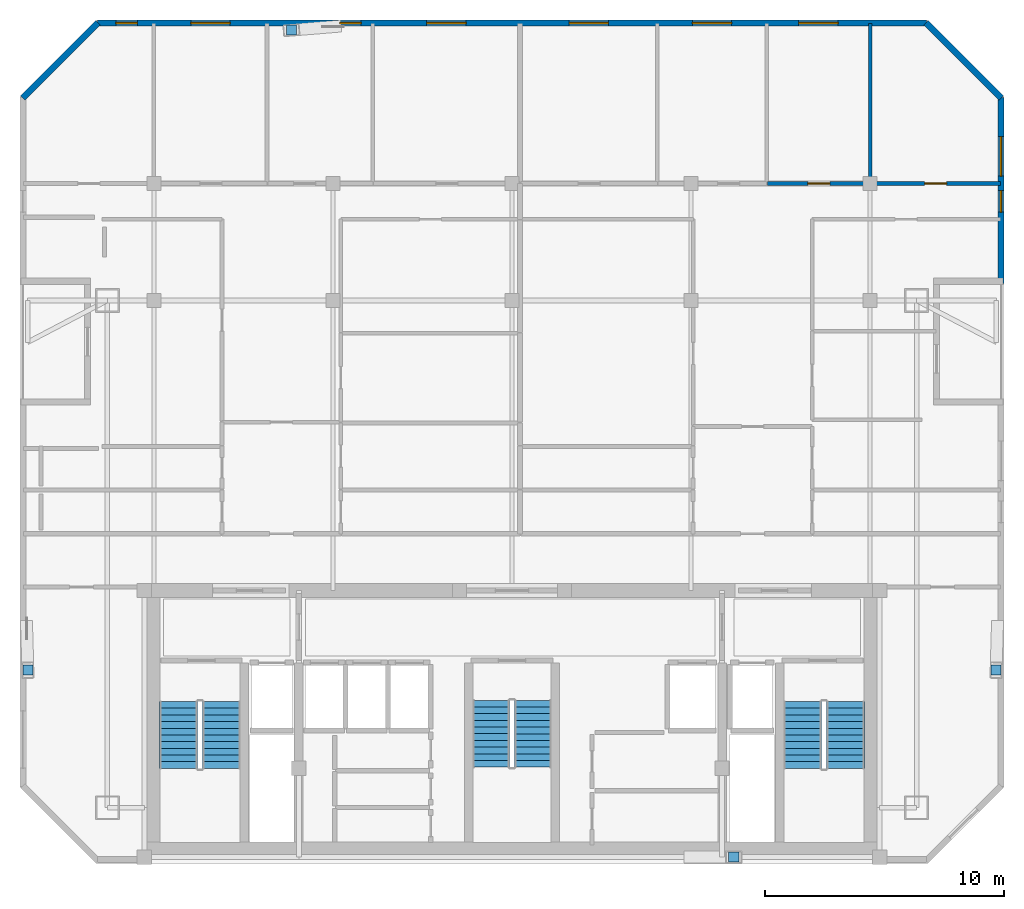
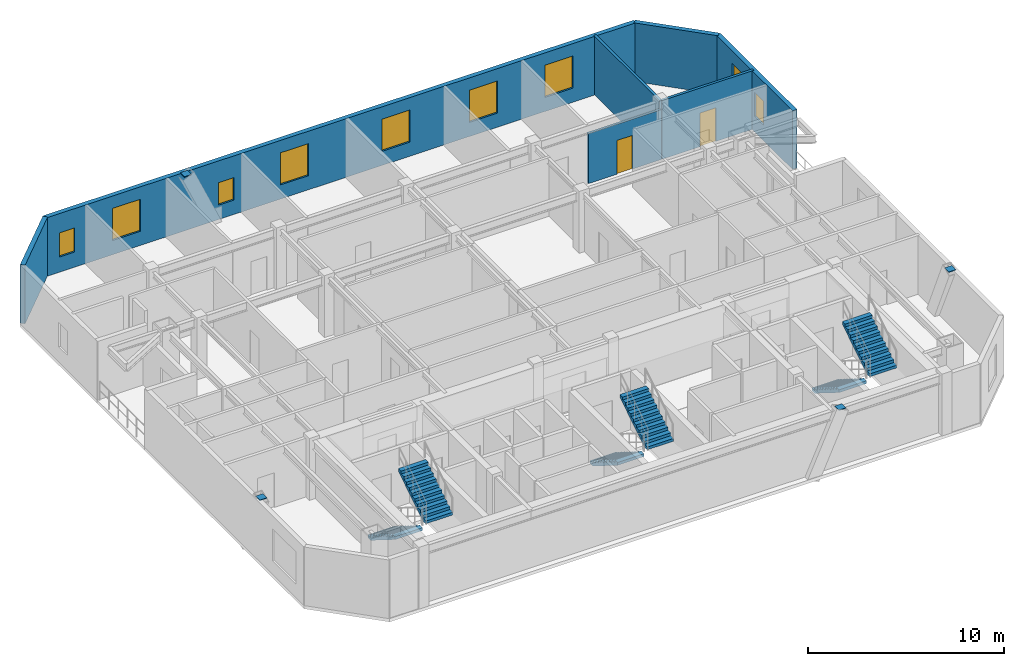
# One storey, part 6 of 7: 9 windows, 7 walls, 6 stair flights, 4 discrete accessories, 2 doors, 11 openings, 3 elements without a shape of their own.
"""IFC4 building model written with IfcOpenShell, lengths in metres."""

from ifc_helpers import new_model, si_unit, direction, frame, frame_2d, origin, origin_2d, place, context, subcontext, project, spatial, polyline, rectangle, outline, extrude, material, layer, layer_set, type_object, element, fill, aggregate, save


model = new_model("IFC4")

# Units and contexts
model_context = context("Model", 3, precision=1e-05, world=origin(), true_north=direction((0.0, 1.0)))
body_context = subcontext(model_context, "Body", "Model", "MODEL_VIEW")
ifc_project = project(units=[si_unit("LENGTHUNIT", "METRE"), si_unit("AREAUNIT", "SQUARE_METRE"), si_unit("VOLUMEUNIT", "CUBIC_METRE"), si_unit("PLANEANGLEUNIT", "RADIAN"), si_unit("MASSUNIT", "GRAM", prefix="KILO")], contexts=[model_context])

# Site, building, storey
site_placement = place(None, origin())
site = spatial("IfcSite", under=ifc_project, at=site_placement, CompositionType="ELEMENT")
building_placement = place(site_placement, origin())
building = spatial("IfcBuilding", under=site, at=building_placement, Name="Ventersveld Concourse Tower", CompositionType="ELEMENT")
storey_placement = place(building_placement, frame((0.0, 0.0, 268.300048828125)))
storey = spatial("IfcBuildingStorey", under=building, at=storey_placement, Name="L66", CompositionType="ELEMENT", Elevation=268.300048828125)

# Wall, opening, door
ifc_material_1 = material(Name="Autoclaved aerated masonry blockwork", Category="masonry")
ifc_layer_1 = layer(ifc_material_1, 0.14990234375)
ifc_layer_set_1 = layer_set([ifc_layer_1], Name="Autoclaved aerated masonry blockwork")
wall_type_1 = type_object("IfcWallType", Name="WL-INT-150", PredefinedType="PARTITIONING", material=ifc_layer_set_1)
wall_1_placement = place(storey_placement, frame((39.4501953125, 28.5, 0.0), z_axis=(0.0, 0.0, 1.0), x_axis=(1.0, 0.0, 0.0)))
wall_1 = element("IfcWall", 1, at=wall_1_placement, inside=storey, type_object=wall_type_1, Name="L66 Interior Partition SP-L66-66N2-LIV-SP-L66-66N2-BR3", PredefinedType="PARTITIONING", context=body_context, shape_type="SweptSolid", body=[
    extrude(rectangle(XDim=4.3046875, YDim=0.14990234375, at=frame_2d((2.15234375, 0.0))), origin(), (0.0, 0.0, 1.0), 3.10546875),
])
opening_1_placement = place(wall_1_placement, frame((1.6923828125, 0.0, 0.0)))
opening_1 = element("IfcOpeningElement", 2, at=opening_1_placement, cuts=wall_1, Name="Opening ID1", PredefinedType="OPENING", context=body_context, shape_type="SweptSolid", body=[
    extrude(rectangle(XDim=0.919921875, YDim=2.10009765625, at=frame_2d((0.4599609375, 1.050048828125))), frame((0.0, 0.0849609375, 0.0), z_axis=(0.0, -1.0, 0.0), x_axis=(1.0, 0.0, 0.0)), (0.0, 0.0, 1.0), 0.169921875),
])
ifc_material_2 = material(Name="Solid-core hardwood veneer timber", Category="wood")
door_type = type_object("IfcDoorType", Name="DR-ROOM-092", OperationType="NOTDEFINED", PredefinedType="DOOR", material=ifc_material_2)
door_1_placement = place(opening_1_placement, origin())
door_1 = element("IfcDoor", 3, at=door_1_placement, inside=storey, type_object=door_type, Name="L66 Interior Door SP-L66-66N2-LIV to SP-L66-66N2-BR3 (D-L66-3129)", OperationType="SINGLE_SWING_LEFT", OverallHeight=2.10009765625, OverallWidth=0.919921875, PredefinedType="DOOR", context=body_context, shape_type="SweptSolid", body=[
    extrude(rectangle(XDim=0.919921875, YDim=2.10009765625, at=frame_2d((0.4599609375, 1.050048828125))), frame((0.0, 0.02490234375, 0.0), z_axis=(0.0, -1.0, 0.0), x_axis=(1.0, 0.0, 0.0)), (0.0, 0.0, 1.0), 0.050048828125),
])
fill(opening_1, door_1)

wall_2_placement = place(storey_placement, frame((43.784912109375, 28.5, 0.0), z_axis=(0.0, 0.0, 1.0), x_axis=(1.0, 0.0, 0.0)))
wall_2 = element("IfcWall", 4, at=wall_2_placement, inside=storey, type_object=wall_type_1, Name="L66 Interior Partition SP-L66-66N2-LIV-SP-L66-66N2-BR4", PredefinedType="PARTITIONING", context=body_context, shape_type="SweptSolid", body=[
    extrude(rectangle(XDim=5.42578125, YDim=0.14990234375, at=frame_2d((2.712890625, 0.0))), origin(), (0.0, 0.0, 1.0), 3.64990234375),
])
opening_2_placement = place(wall_2_placement, frame((2.252685546875, 0.0, 0.0)))
opening_2 = element("IfcOpeningElement", 5, at=opening_2_placement, cuts=wall_2, Name="Opening ID1", PredefinedType="OPENING", context=body_context, shape_type="SweptSolid", body=[
    extrude(rectangle(XDim=0.919921875, YDim=2.10009765625, at=frame_2d((0.4599609375, 1.050048828125))), frame((0.0, 0.0849609375, 0.0), z_axis=(0.0, -1.0, 0.0), x_axis=(1.0, 0.0, 0.0)), (0.0, 0.0, 1.0), 0.169921875),
])
door_2_placement = place(opening_2_placement, origin())
door_2 = element("IfcDoor", 6, at=door_2_placement, inside=storey, type_object=door_type, Name="L66 Interior Door SP-L66-66N2-LIV to SP-L66-66N2-BR4 (D-L66-3130)", OperationType="SINGLE_SWING_RIGHT", OverallHeight=2.10009765625, OverallWidth=0.919921875, PredefinedType="DOOR", context=body_context, shape_type="SweptSolid", body=[
    extrude(rectangle(XDim=0.919921875, YDim=2.10009765625, at=frame_2d((0.4599609375, 1.050048828125))), frame((0.0, 0.02490234375, 0.0), z_axis=(0.0, -1.0, 0.0), x_axis=(1.0, 0.0, 0.0)), (0.0, 0.0, 1.0), 0.050048828125),
])
fill(opening_2, door_2)

# Wall
wall_3_placement = place(storey_placement, frame((43.75, 28.4951171875, 0.0), z_axis=(0.0, 0.0, 1.0), x_axis=(0.0, 1.0, 0.0)))
element("IfcWall", 7, at=wall_3_placement, inside=storey, type_object=wall_type_1, Name="L66 Interior Partition SP-L66-66N2-BR3-SP-L66-66N2-BR4", PredefinedType="PARTITIONING", context=body_context, shape_type="SweptSolid", body=[
    extrude(rectangle(XDim=6.704833984375, YDim=0.14990234375, at=frame_2d((3.3525390625, 0.0))), origin(), (0.0, 0.0, 1.0), 3.64990234375),
])

# Wall, openings, windows
ifc_material_3 = material(Name="Precast concrete C45/55", Category="concrete")
ifc_layer_2 = layer(ifc_material_3, 0.260009765625)
ifc_layer_set_2 = layer_set([ifc_layer_2], Name="Precast concrete C45/55")
wall_type_2 = type_object("IfcWallType", Name="WL-PREC-260", PredefinedType="SOLIDWALL", material=ifc_layer_set_2)
wall_4_placement = place(storey_placement, frame((49.230224609375, 24.314697265625, 0.0), z_axis=(0.0, 0.0, 1.0), x_axis=(0.0, 1.0, 0.0)))
wall_4 = element("IfcWall", 8, at=wall_4_placement, inside=storey, type_object=wall_type_2, Name="L66 Highveld Precast Facade Wall E07", PredefinedType="SOLIDWALL", context=body_context, shape_type="SweptSolid", body=[
    extrude(rectangle(XDim=7.794677734375, YDim=0.260009765625, at=frame_2d((3.8974609375, 0.0))), origin(), (0.0, 0.0, 1.0), 3.64990234375),
])
opening_3_placement = place(wall_4_placement, frame((2.9853515625, 0.0, 0.949951171875)))
opening_3 = element("IfcOpeningElement", 9, at=opening_3_placement, cuts=wall_4, Name="Opening W4", PredefinedType="OPENING", context=body_context, shape_type="SweptSolid", body=[
    extrude(rectangle(XDim=0.89990234375, YDim=1.5, at=frame_2d((0.449951171875, 0.75))), frame((0.0, 0.14013671875, 0.0), z_axis=(0.0, -1.0, 0.0), x_axis=(1.0, 0.0, 0.0)), (0.0, 0.0, 1.0), 0.280029296875),
])
opening_4_placement = place(wall_4_placement, frame((4.499755859375, 0.0, 0.8798828125)))
opening_4 = element("IfcOpeningElement", 10, at=opening_4_placement, cuts=wall_4, Name="Opening W6", PredefinedType="OPENING", context=body_context, shape_type="SweptSolid", body=[
    extrude(rectangle(XDim=1.64990234375, YDim=2.0, at=frame_2d((0.824951171875, 1.0))), frame((0.0, 0.14013671875, 0.0), z_axis=(0.0, -1.0, 0.0), x_axis=(1.0, 0.0, 0.0)), (0.0, 0.0, 1.0), 0.280029296875),
])
ifc_material_4 = material(Name="Tempered acoustic Low-E IGU", Category="glass")
window_type_1 = type_object("IfcWindowType", Name="WIN-090x150", PartitioningType="SINGLE_PANEL", PredefinedType="WINDOW", material=ifc_material_4)
window_1_placement = place(opening_3_placement, origin())
window_1 = element("IfcWindow", 11, at=window_1_placement, inside=storey, type_object=window_type_1, Name="L66 Punched Low-E Window W-0942", OverallHeight=1.5, OverallWidth=0.89990234375, PartitioningType="SINGLE_PANEL", PredefinedType="WINDOW", context=body_context, shape_type="SweptSolid", body=[
    extrude(rectangle(XDim=0.89990234375, YDim=1.5, at=frame_2d((0.449951171875, 0.75))), frame((0.0, 0.030029296875, 0.0), z_axis=(0.0, -1.0, 0.0), x_axis=(1.0, 0.0, 0.0)), (0.0, 0.0, 1.0), 0.06005859375),
])
fill(opening_3, window_1)
window_type_2 = type_object("IfcWindowType", Name="WIN-165x200", PartitioningType="SINGLE_PANEL", PredefinedType="WINDOW", material=ifc_material_4)
window_2_placement = place(opening_4_placement, origin())
window_2 = element("IfcWindow", 12, at=window_2_placement, inside=storey, type_object=window_type_2, Name="L66 Punched Low-E Window W-0948", OverallHeight=2.0, OverallWidth=1.64990234375, PartitioningType="SINGLE_PANEL", PredefinedType="WINDOW", context=body_context, shape_type="SweptSolid", body=[
    extrude(rectangle(XDim=1.64990234375, YDim=2.0, at=frame_2d((0.824951171875, 1.0))), frame((0.0, 0.030029296875, 0.0), z_axis=(0.0, -1.0, 0.0), x_axis=(1.0, 0.0, 0.0)), (0.0, 0.0, 1.0), 0.06005859375),
])
fill(opening_4, window_2)

# Wall
wall_5_placement = place(storey_placement, frame((49.239990234375, 32.085693359375, 0.0), z_axis=(0.0, 0.0, 1.0), x_axis=(-0.707079321262, 0.707134240044, 0.0)))
element("IfcWall", 13, at=wall_5_placement, inside=storey, type_object=wall_type_2, Name="L66 Highveld Precast Facade Wall E08", PredefinedType="SOLIDWALL", context=body_context, shape_type="SweptSolid", body=[
    extrude(rectangle(XDim=4.445556640625, YDim=0.260009765625, at=frame_2d((2.22265625, 0.0))), origin(), (0.0, 0.0, 1.0), 3.64990234375),
])

# Wall, openings, windows
wall_6_placement = place(storey_placement, frame((46.1201171875, 35.219482421875, 0.0), z_axis=(0.0, 0.0, 1.0), x_axis=(-1.0, 0.0, 0.0)))
wall_6 = element("IfcWall", 14, at=wall_6_placement, inside=storey, type_object=wall_type_2, Name="L66 Highveld Precast Facade Wall E09", PredefinedType="SOLIDWALL", context=body_context, shape_type="SweptSolid", body=[
    extrude(rectangle(XDim=34.740234375, YDim=0.260009765625, at=frame_2d((17.3701171875, 0.0))), origin(), (0.0, 0.0, 1.0), 3.64990234375),
])
opening_5_placement = place(wall_6_placement, frame((33.060302734375, 0.0, 0.949951171875)))
opening_5 = element("IfcOpeningElement", 15, at=opening_5_placement, cuts=wall_6, Name="Opening W4", PredefinedType="OPENING", context=body_context, shape_type="SweptSolid", body=[
    extrude(rectangle(XDim=0.89990234375, YDim=1.5, at=frame_2d((0.449951171875, 0.75))), frame((0.0, 0.14013671875, 0.0), z_axis=(0.0, -1.0, 0.0), x_axis=(1.0, 0.0, 0.0)), (0.0, 0.0, 1.0), 0.280029296875),
])
opening_6_placement = place(wall_6_placement, frame((29.17724609375, 0.0, 0.8798828125)))
opening_6 = element("IfcOpeningElement", 16, at=opening_6_placement, cuts=wall_6, Name="Opening W6", PredefinedType="OPENING", context=body_context, shape_type="SweptSolid", body=[
    extrude(rectangle(XDim=1.64990234375, YDim=2.0, at=frame_2d((0.824951171875, 1.0))), frame((0.0, 0.14013671875, 0.0), z_axis=(0.0, -1.0, 0.0), x_axis=(1.0, 0.0, 0.0)), (0.0, 0.0, 1.0), 0.280029296875),
])
opening_7_placement = place(wall_6_placement, frame((23.68994140625, 0.0, 0.89990234375)))
opening_7 = element("IfcOpeningElement", 17, at=opening_7_placement, cuts=wall_6, Name="Opening W8", PredefinedType="OPENING", context=body_context, shape_type="SweptSolid", body=[
    extrude(rectangle(XDim=0.89990234375, YDim=1.39990234375, at=frame_2d((0.449951171875, 0.699951171875))), frame((0.0, 0.14013671875, 0.0), z_axis=(0.0, -1.0, 0.0), x_axis=(1.0, 0.0, 0.0)), (0.0, 0.0, 1.0), 0.280029296875),
])
opening_8_placement = place(wall_6_placement, frame((19.292236328125, 0.0, 0.8798828125)))
opening_8 = element("IfcOpeningElement", 18, at=opening_8_placement, cuts=wall_6, Name="Opening W6", PredefinedType="OPENING", context=body_context, shape_type="SweptSolid", body=[
    extrude(rectangle(XDim=1.64990234375, YDim=2.0, at=frame_2d((0.824951171875, 1.0))), frame((0.0, 0.14013671875, 0.0), z_axis=(0.0, -1.0, 0.0), x_axis=(1.0, 0.0, 0.0)), (0.0, 0.0, 1.0), 0.280029296875),
])
opening_9_placement = place(wall_6_placement, frame((13.332275390625, 0.0, 0.8798828125)))
opening_9 = element("IfcOpeningElement", 19, at=opening_9_placement, cuts=wall_6, Name="Opening W6", PredefinedType="OPENING", context=body_context, shape_type="SweptSolid", body=[
    extrude(rectangle(XDim=1.64990234375, YDim=2.0, at=frame_2d((0.824951171875, 1.0))), frame((0.0, 0.14013671875, 0.0), z_axis=(0.0, -1.0, 0.0), x_axis=(1.0, 0.0, 0.0)), (0.0, 0.0, 1.0), 0.280029296875),
])
opening_10_placement = place(wall_6_placement, frame((8.168701171875, 0.0, 0.8798828125)))
opening_10 = element("IfcOpeningElement", 20, at=opening_10_placement, cuts=wall_6, Name="Opening W6", PredefinedType="OPENING", context=body_context, shape_type="SweptSolid", body=[
    extrude(rectangle(XDim=1.64990234375, YDim=2.0, at=frame_2d((0.824951171875, 1.0))), frame((0.0, 0.14013671875, 0.0), z_axis=(0.0, -1.0, 0.0), x_axis=(1.0, 0.0, 0.0)), (0.0, 0.0, 1.0), 0.280029296875),
])
opening_11_placement = place(wall_6_placement, frame((3.71240234375, 0.0, 0.8798828125)))
opening_11 = element("IfcOpeningElement", 21, at=opening_11_placement, cuts=wall_6, Name="Opening W6", PredefinedType="OPENING", context=body_context, shape_type="SweptSolid", body=[
    extrude(rectangle(XDim=1.64990234375, YDim=2.0, at=frame_2d((0.824951171875, 1.0))), frame((0.0, 0.14013671875, 0.0), z_axis=(0.0, -1.0, 0.0), x_axis=(1.0, 0.0, 0.0)), (0.0, 0.0, 1.0), 0.280029296875),
])
window_type_3 = type_object("IfcWindowType", Name="WIN-090x140", PartitioningType="SINGLE_PANEL", PredefinedType="WINDOW", material=ifc_material_4)
window_3_placement = place(opening_7_placement, origin())
window_3 = element("IfcWindow", 22, at=window_3_placement, inside=storey, type_object=window_type_3, Name="L66 Punched Low-E Window W-0940", OverallHeight=1.39990234375, OverallWidth=0.89990234375, PartitioningType="SINGLE_PANEL", PredefinedType="WINDOW", context=body_context, shape_type="SweptSolid", body=[
    extrude(rectangle(XDim=0.89990234375, YDim=1.39990234375, at=frame_2d((0.449951171875, 0.699951171875))), frame((0.0, 0.030029296875, 0.0), z_axis=(0.0, -1.0, 0.0), x_axis=(1.0, 0.0, 0.0)), (0.0, 0.0, 1.0), 0.06005859375),
])
fill(opening_7, window_3)
window_4_placement = place(opening_5_placement, origin())
window_4 = element("IfcWindow", 23, at=window_4_placement, inside=storey, type_object=window_type_1, Name="L66 Punched Low-E Window W-0938", OverallHeight=1.5, OverallWidth=0.89990234375, PartitioningType="SINGLE_PANEL", PredefinedType="WINDOW", context=body_context, shape_type="SweptSolid", body=[
    extrude(rectangle(XDim=0.89990234375, YDim=1.5, at=frame_2d((0.449951171875, 0.75))), frame((0.0, 0.030029296875, 0.0), z_axis=(0.0, -1.0, 0.0), x_axis=(1.0, 0.0, 0.0)), (0.0, 0.0, 1.0), 0.06005859375),
])
fill(opening_5, window_4)
window_5_placement = place(opening_6_placement, origin())
window_5 = element("IfcWindow", 24, at=window_5_placement, inside=storey, type_object=window_type_2, Name="L66 Punched Low-E Window W-0939", OverallHeight=2.0, OverallWidth=1.64990234375, PartitioningType="SINGLE_PANEL", PredefinedType="WINDOW", context=body_context, shape_type="SweptSolid", body=[
    extrude(rectangle(XDim=1.64990234375, YDim=2.0, at=frame_2d((0.824951171875, 1.0))), frame((0.0, 0.030029296875, 0.0), z_axis=(0.0, -1.0, 0.0), x_axis=(1.0, 0.0, 0.0)), (0.0, 0.0, 1.0), 0.06005859375),
])
fill(opening_6, window_5)
window_6_placement = place(opening_8_placement, origin())
window_6 = element("IfcWindow", 25, at=window_6_placement, inside=storey, type_object=window_type_2, Name="L66 Punched Low-E Window W-0941", OverallHeight=2.0, OverallWidth=1.64990234375, PartitioningType="SINGLE_PANEL", PredefinedType="WINDOW", context=body_context, shape_type="SweptSolid", body=[
    extrude(rectangle(XDim=1.64990234375, YDim=2.0, at=frame_2d((0.824951171875, 1.0))), frame((0.0, 0.030029296875, 0.0), z_axis=(0.0, -1.0, 0.0), x_axis=(1.0, 0.0, 0.0)), (0.0, 0.0, 1.0), 0.06005859375),
])
fill(opening_8, window_6)
window_7_placement = place(opening_9_placement, origin())
window_7 = element("IfcWindow", 26, at=window_7_placement, inside=storey, type_object=window_type_2, Name="L66 Punched Low-E Window W-0945", OverallHeight=2.0, OverallWidth=1.64990234375, PartitioningType="SINGLE_PANEL", PredefinedType="WINDOW", context=body_context, shape_type="SweptSolid", body=[
    extrude(rectangle(XDim=1.64990234375, YDim=2.0, at=frame_2d((0.824951171875, 1.0))), frame((0.0, 0.030029296875, 0.0), z_axis=(0.0, -1.0, 0.0), x_axis=(1.0, 0.0, 0.0)), (0.0, 0.0, 1.0), 0.06005859375),
])
fill(opening_9, window_7)
window_8_placement = place(opening_10_placement, origin())
window_8 = element("IfcWindow", 27, at=window_8_placement, inside=storey, type_object=window_type_2, Name="L66 Punched Low-E Window W-0946", OverallHeight=2.0, OverallWidth=1.64990234375, PartitioningType="SINGLE_PANEL", PredefinedType="WINDOW", context=body_context, shape_type="SweptSolid", body=[
    extrude(rectangle(XDim=1.64990234375, YDim=2.0, at=frame_2d((0.824951171875, 1.0))), frame((0.0, 0.030029296875, 0.0), z_axis=(0.0, -1.0, 0.0), x_axis=(1.0, 0.0, 0.0)), (0.0, 0.0, 1.0), 0.06005859375),
])
fill(opening_10, window_8)
window_9_placement = place(opening_11_placement, origin())
window_9 = element("IfcWindow", 28, at=window_9_placement, inside=storey, type_object=window_type_2, Name="L66 Punched Low-E Window W-0947", OverallHeight=2.0, OverallWidth=1.64990234375, PartitioningType="SINGLE_PANEL", PredefinedType="WINDOW", context=body_context, shape_type="SweptSolid", body=[
    extrude(rectangle(XDim=1.64990234375, YDim=2.0, at=frame_2d((0.824951171875, 1.0))), frame((0.0, 0.030029296875, 0.0), z_axis=(0.0, -1.0, 0.0), x_axis=(1.0, 0.0, 0.0)), (0.0, 0.0, 1.0), 0.06005859375),
])
fill(opening_11, window_9)

# Wall
wall_7_placement = place(storey_placement, frame((11.4033203125, 35.229248046875, 0.0), z_axis=(0.0, 0.0, 1.0), x_axis=(-0.707079321262, -0.707134240044, 0.0)))
element("IfcWall", 29, at=wall_7_placement, inside=storey, type_object=wall_type_2, Name="L66 Highveld Precast Facade Wall E10", PredefinedType="SOLIDWALL", context=body_context, shape_type="SweptSolid", body=[
    extrude(rectangle(XDim=4.445556640625, YDim=0.260009765625, at=frame_2d((2.22265625, 0.0))), origin(), (0.0, 0.0, 1.0), 3.64990234375),
])

# Stair, stair flights
ifc_material_5 = material(Name="Concrete C50/60", Category="concrete")
stair_type_1 = type_object("IfcStairType", Name="ST-DOG-155", PredefinedType="HALF_TURN_STAIR", material=ifc_material_5)
stair_1_placement = place(storey_placement, origin())
stair_1 = element("IfcStair", 30, at=stair_1_placement, inside=storey, type_object=stair_type_1, Name="L66 Protected Central Core Escape Stair ST-03", PredefinedType="HALF_TURN_STAIR")
stair_flight_type_1 = type_object("IfcStairFlightType", Name="STF-RC-155", PredefinedType="STRAIGHT", material=ifc_material_5)
stair_flight_1_placement = place(storey_placement, frame((27.875, 6.85009765625, 0.0), z_axis=(0.0, 0.0, 1.0), x_axis=(0.0, -1.0, 0.0)))
stair_flight_1 = element("IfcStairFlight", 31, at=stair_flight_1_placement, type_object=stair_flight_type_1, Name="ST-03 flight 1", NumberOfRisers=11, NumberOfTreads=10, PredefinedType="STRAIGHT", RiserHeight=0.175, TreadLength=0.28, context=body_context, shape_type="SweptSolid", body=[
    extrude(outline(polyline([(0.0, 0.0), (0.0, 0.175048828125), (0.280029296875, 0.175048828125), (0.280029296875, 0.35009765625), (0.56005859375, 0.35009765625), (0.56005859375, 0.52490234375), (0.840087890625, 0.52490234375), (0.840087890625, 0.699951171875), (1.1201171875, 0.699951171875), (1.1201171875, 0.875), (1.39990234375, 0.875), (1.39990234375, 1.050048828125), (1.679931640625, 1.050048828125), (1.679931640625, 1.22509765625), (1.9599609375, 1.22509765625), (1.9599609375, 1.39990234375), (2.239990234375, 1.39990234375), (2.239990234375, 1.574951171875), (2.52001953125, 1.574951171875), (2.52001953125, 1.75), (2.800048828125, 1.75), (2.800048828125, 1.925048828125), (2.800048828125, 1.5732421875), (0.28271484375, 0.0), (0.0, 0.0)])), frame((0.0, 0.77490234375, 0.0), z_axis=(0.0, -1.0, 0.0), x_axis=(1.0, 0.0, 0.0)), (0.0, 0.0, 1.0), 1.550048828125),
])
stair_flight_2_placement = place(storey_placement, frame((29.625, 4.050048828125, 1.925048828125), z_axis=(0.0, 0.0, 1.0), x_axis=(0.0, 1.0, 0.0)))
stair_flight_2 = element("IfcStairFlight", 32, at=stair_flight_2_placement, type_object=stair_flight_type_1, Name="ST-03 flight 2", NumberOfRisers=11, NumberOfTreads=10, PredefinedType="STRAIGHT", RiserHeight=0.175, TreadLength=0.28, context=body_context, shape_type="SweptSolid", body=[
    extrude(outline(polyline([(0.0, 0.0), (0.0, 0.175048828125), (0.280029296875, 0.175048828125), (0.280029296875, 0.35009765625), (0.56005859375, 0.35009765625), (0.56005859375, 0.52490234375), (0.840087890625, 0.52490234375), (0.840087890625, 0.699951171875), (1.1201171875, 0.699951171875), (1.1201171875, 0.875), (1.39990234375, 0.875), (1.39990234375, 1.050048828125), (1.679931640625, 1.050048828125), (1.679931640625, 1.22509765625), (1.9599609375, 1.22509765625), (1.9599609375, 1.39990234375), (2.239990234375, 1.39990234375), (2.239990234375, 1.574951171875), (2.52001953125, 1.574951171875), (2.52001953125, 1.75), (2.800048828125, 1.75), (2.800048828125, 1.925048828125), (2.800048828125, 1.5732421875), (0.28271484375, 0.0), (0.0, 0.0)])), frame((0.0, 0.77490234375, 0.0), z_axis=(0.0, -1.0, 0.0), x_axis=(1.0, 0.0, 0.0)), (0.0, 0.0, 1.0), 1.550048828125),
])
aggregate(stair_1, [stair_flight_1, stair_flight_2])

stair_type_2 = type_object("IfcStairType", Name="ST-DOG-160", PredefinedType="HALF_TURN_STAIR", material=ifc_material_5)
stair_2_placement = place(storey_placement, origin())
stair_2 = element("IfcStair", 33, at=stair_2_placement, inside=storey, type_object=stair_type_2, Name="L66 Protected Tower Escape Stair ST-01", PredefinedType="HALF_TURN_STAIR")
stair_flight_type_2 = type_object("IfcStairFlightType", Name="STF-RC-160", PredefinedType="STRAIGHT", material=ifc_material_5)
stair_flight_3_placement = place(storey_placement, frame((14.780029296875, 6.800048828125, 0.0), z_axis=(0.0, 0.0, 1.0), x_axis=(0.0, -1.0, 0.0)))
stair_flight_3 = element("IfcStairFlight", 34, at=stair_flight_3_placement, type_object=stair_flight_type_2, Name="ST-01 flight 1", NumberOfRisers=11, NumberOfTreads=10, PredefinedType="STRAIGHT", RiserHeight=0.175, TreadLength=0.28, context=body_context, shape_type="SweptSolid", body=[
    extrude(outline(polyline([(0.0, 0.0), (0.0, 0.175048828125), (0.280029296875, 0.175048828125), (0.280029296875, 0.35009765625), (0.56005859375, 0.35009765625), (0.56005859375, 0.52490234375), (0.840087890625, 0.52490234375), (0.840087890625, 0.699951171875), (1.1201171875, 0.699951171875), (1.1201171875, 0.875), (1.39990234375, 0.875), (1.39990234375, 1.050048828125), (1.679931640625, 1.050048828125), (1.679931640625, 1.22509765625), (1.9599609375, 1.22509765625), (1.9599609375, 1.39990234375), (2.239990234375, 1.39990234375), (2.239990234375, 1.574951171875), (2.52001953125, 1.574951171875), (2.52001953125, 1.75), (2.800048828125, 1.75), (2.800048828125, 1.925048828125), (2.800048828125, 1.5732421875), (0.28271484375, 0.0), (0.0, 0.0)])), frame((0.0, 0.800048828125, 0.0), z_axis=(0.0, -1.0, 0.0), x_axis=(1.0, 0.0, 0.0)), (0.0, 0.0, 1.0), 1.60009765625),
])
stair_flight_4_placement = place(storey_placement, frame((16.580078125, 4.0, 1.925048828125), z_axis=(0.0, 0.0, 1.0), x_axis=(0.0, 1.0, 0.0)))
stair_flight_4 = element("IfcStairFlight", 35, at=stair_flight_4_placement, type_object=stair_flight_type_2, Name="ST-01 flight 2", NumberOfRisers=11, NumberOfTreads=10, PredefinedType="STRAIGHT", RiserHeight=0.175, TreadLength=0.28, context=body_context, shape_type="SweptSolid", body=[
    extrude(outline(polyline([(0.0, 0.0), (0.0, 0.175048828125), (0.280029296875, 0.175048828125), (0.280029296875, 0.35009765625), (0.56005859375, 0.35009765625), (0.56005859375, 0.52490234375), (0.840087890625, 0.52490234375), (0.840087890625, 0.699951171875), (1.1201171875, 0.699951171875), (1.1201171875, 0.875), (1.39990234375, 0.875), (1.39990234375, 1.050048828125), (1.679931640625, 1.050048828125), (1.679931640625, 1.22509765625), (1.9599609375, 1.22509765625), (1.9599609375, 1.39990234375), (2.239990234375, 1.39990234375), (2.239990234375, 1.574951171875), (2.52001953125, 1.574951171875), (2.52001953125, 1.75), (2.800048828125, 1.75), (2.800048828125, 1.925048828125), (2.800048828125, 1.5732421875), (0.28271484375, 0.0), (0.0, 0.0)])), frame((0.0, 0.800048828125, 0.0), z_axis=(0.0, -1.0, 0.0), x_axis=(1.0, 0.0, 0.0)), (0.0, 0.0, 1.0), 1.60009765625),
])
aggregate(stair_2, [stair_flight_3, stair_flight_4])

stair_3_placement = place(storey_placement, origin())
stair_3 = element("IfcStair", 36, at=stair_3_placement, inside=storey, type_object=stair_type_2, Name="L66 Protected Tower Escape Stair ST-02", PredefinedType="HALF_TURN_STAIR")
stair_flight_5_placement = place(storey_placement, frame((40.919921875, 6.800048828125, 0.0), z_axis=(0.0, 0.0, 1.0), x_axis=(0.0, -1.0, 0.0)))
stair_flight_5 = element("IfcStairFlight", 37, at=stair_flight_5_placement, type_object=stair_flight_type_2, Name="ST-02 flight 1", NumberOfRisers=11, NumberOfTreads=10, PredefinedType="STRAIGHT", RiserHeight=0.175, TreadLength=0.28, context=body_context, shape_type="SweptSolid", body=[
    extrude(outline(polyline([(0.0, 0.0), (0.0, 0.175048828125), (0.280029296875, 0.175048828125), (0.280029296875, 0.35009765625), (0.56005859375, 0.35009765625), (0.56005859375, 0.52490234375), (0.840087890625, 0.52490234375), (0.840087890625, 0.699951171875), (1.1201171875, 0.699951171875), (1.1201171875, 0.875), (1.39990234375, 0.875), (1.39990234375, 1.050048828125), (1.679931640625, 1.050048828125), (1.679931640625, 1.22509765625), (1.9599609375, 1.22509765625), (1.9599609375, 1.39990234375), (2.239990234375, 1.39990234375), (2.239990234375, 1.574951171875), (2.52001953125, 1.574951171875), (2.52001953125, 1.75), (2.800048828125, 1.75), (2.800048828125, 1.925048828125), (2.800048828125, 1.5732421875), (0.28271484375, 0.0), (0.0, 0.0)])), frame((0.0, 0.800048828125, 0.0), z_axis=(0.0, -1.0, 0.0), x_axis=(1.0, 0.0, 0.0)), (0.0, 0.0, 1.0), 1.60009765625),
])
stair_flight_6_placement = place(storey_placement, frame((42.719970703125, 4.0, 1.925048828125), z_axis=(0.0, 0.0, 1.0), x_axis=(0.0, 1.0, 0.0)))
stair_flight_6 = element("IfcStairFlight", 38, at=stair_flight_6_placement, type_object=stair_flight_type_2, Name="ST-02 flight 2", NumberOfRisers=11, NumberOfTreads=10, PredefinedType="STRAIGHT", RiserHeight=0.175, TreadLength=0.28, context=body_context, shape_type="SweptSolid", body=[
    extrude(outline(polyline([(0.0, 0.0), (0.0, 0.175048828125), (0.280029296875, 0.175048828125), (0.280029296875, 0.35009765625), (0.56005859375, 0.35009765625), (0.56005859375, 0.52490234375), (0.840087890625, 0.52490234375), (0.840087890625, 0.699951171875), (1.1201171875, 0.699951171875), (1.1201171875, 0.875), (1.39990234375, 0.875), (1.39990234375, 1.050048828125), (1.679931640625, 1.050048828125), (1.679931640625, 1.22509765625), (1.9599609375, 1.22509765625), (1.9599609375, 1.39990234375), (2.239990234375, 1.39990234375), (2.239990234375, 1.574951171875), (2.52001953125, 1.574951171875), (2.52001953125, 1.75), (2.800048828125, 1.75), (2.800048828125, 1.925048828125), (2.800048828125, 1.5732421875), (0.28271484375, 0.0), (0.0, 0.0)])), frame((0.0, 0.800048828125, 0.0), z_axis=(0.0, -1.0, 0.0), x_axis=(1.0, 0.0, 0.0)), (0.0, 0.0, 1.0), 1.60009765625),
])
aggregate(stair_3, [stair_flight_5, stair_flight_6])

# Discrete accessories
ifc_material_6 = material(Name="Structural steel S355J2", Category="steel")
discrete_accessory_type = type_object("IfcDiscreteAccessoryType", Name="CONN-BRACE-ECP1", PredefinedType="BRACKET", material=ifc_material_6)
for number, where, z_axis, x_axis, name in (
    (39, (19.510498046875, 34.92626953125, 3.6298828125), (0.0, 0.0, 1.0), (1.0, 0.0, 0.0), "L66 Steel Brace End Connection Plate ECP1-0452"),
    (40, (38.03955078125, 0.280029296875, 3.6298828125), (0.0, 0.0, 1.0), (1.0, 0.0, 0.0), "L66 Steel Brace End Connection Plate ECP1-0456"),
    (41, (8.46923828125, 8.110595703125, 3.6298828125), (0.0, 0.0, 1.0), (1.0, 0.0, 0.0), "L66 Steel Brace End Connection Plate ECP1-0460"),
    (42, (49.03076171875, 8.110595703125, 3.6298828125), (0.0, 0.0, 1.0), (1.0, 0.0, 0.0), "L66 Steel Brace End Connection Plate ECP1-0464"),
):
    element("IfcDiscreteAccessory", number, at=place(storey_placement, frame(where, z_axis=z_axis, x_axis=x_axis)), inside=storey, type_object=discrete_accessory_type, Name=name, PredefinedType="BRACKET", context=body_context, shape_type="SweptSolid", body=[
        extrude(rectangle(XDim=0.419921875, YDim=0.419921875, at=origin_2d()), origin(), (0.0, 0.0, 1.0), 0.0400390625),
    ])

save(model, "model.ifc")
